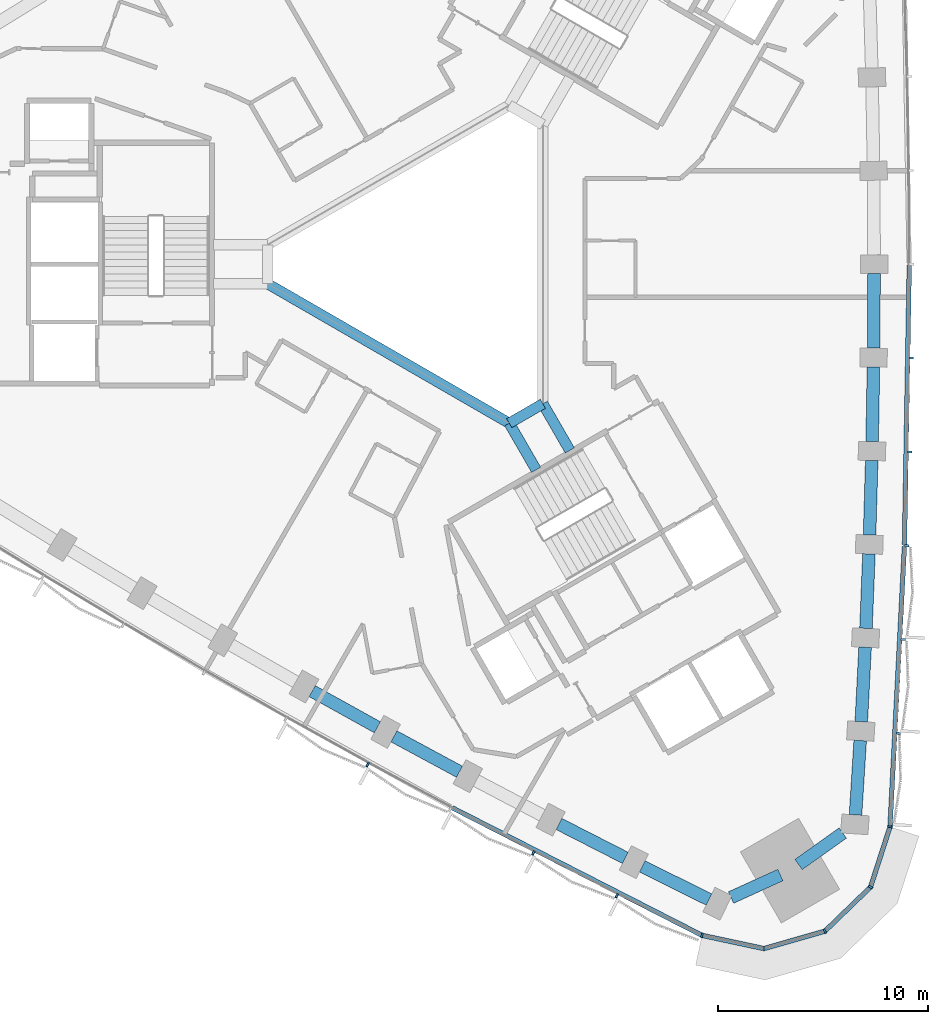
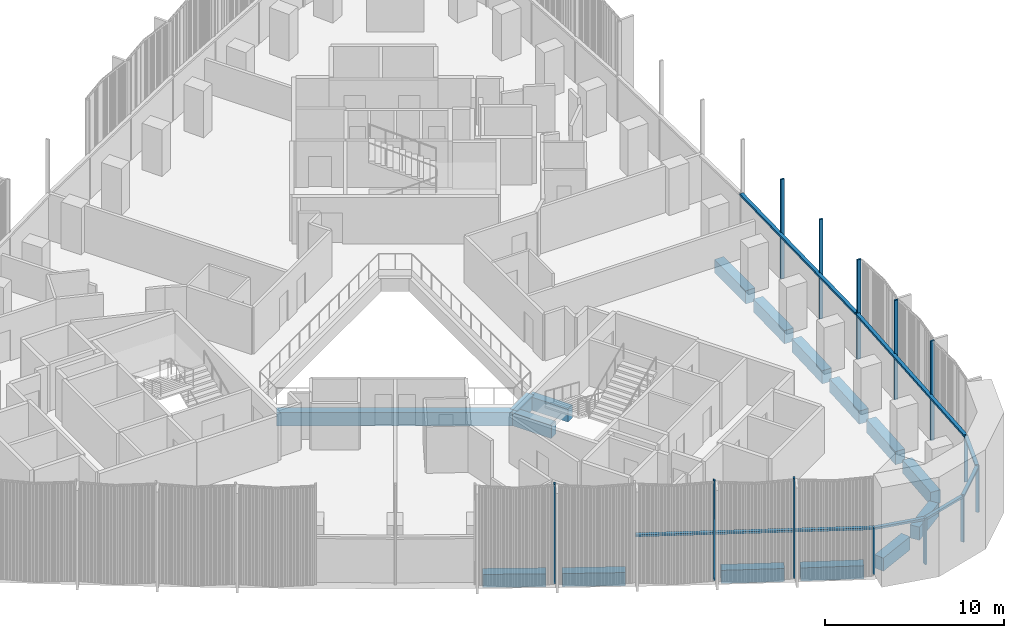
# One storey, part 3 of 15: 20 members, 16 beams, 2 elements without a shape of their own.
"""IFC4 building model written with IfcOpenShell, lengths in metres."""

from ifc_helpers import new_model, si_unit, direction, frame, origin, origin_2d, place, context, subcontext, project, spatial, rectangle, extrude, material, material_profile, profile_set, type_object, element, aggregate, save


model = new_model("IFC4")

# Units and contexts
model_context = context("Model", 3, precision=1e-05, world=origin(), true_north=direction((0.0, 1.0)))
body_context = subcontext(model_context, "Body", "Model", "MODEL_VIEW")
ifc_project = project(units=[si_unit("LENGTHUNIT", "METRE"), si_unit("AREAUNIT", "SQUARE_METRE"), si_unit("VOLUMEUNIT", "CUBIC_METRE"), si_unit("PLANEANGLEUNIT", "RADIAN"), si_unit("MASSUNIT", "GRAM", prefix="KILO")], contexts=[model_context])

# Site, building, storey
site_placement = place(None, origin())
site = spatial("IfcSite", under=ifc_project, at=site_placement, CompositionType="ELEMENT")
building_placement = place(site_placement, origin())
building = spatial("IfcBuilding", under=site, at=building_placement, Name="Tamra Quay Hotel Tower", CompositionType="ELEMENT")
storey_placement = place(building_placement, frame((0.0, 0.0, 111.800048828125)))
storey = spatial("IfcBuildingStorey", under=building, at=storey_placement, Name="L27", CompositionType="ELEMENT", Elevation=111.800048828125)

# Beams
ifc_material_1 = material(Name="Concrete M60", Category="concrete")
ifc_material_profile_1 = material_profile(ifc_material_1, rectangle(XDim=0.5, YDim=0.89990234375, at=origin_2d()), Name="ATRIUM EDGE BEAM RC 500x900")
ifc_profile_set_1 = profile_set([ifc_material_profile_1], Name="Concrete M60")
beam_type_1 = type_object("IfcBeamType", Name="ATRIUM EDGE BEAM RC 500x900", PredefinedType="BEAM", material=ifc_profile_set_1)
beam_1_placement = place(storey_placement, frame((4.89990234375, -6.639404296875, -0.875), z_axis=(-0.865989712182, -0.500061814573, 0.0), x_axis=(0.500061814573, -0.865989712182, 0.0)))
element("IfcBeam", 1, at=beam_1_placement, inside=storey, type_object=beam_type_1, Name="BM-AB1-L27", PredefinedType="BEAM", context=body_context, shape_type="SweptSolid", body=[
    extrude(rectangle(XDim=0.5, YDim=0.89990234375, at=origin_2d()), origin(), (0.0, 0.0, 1.0), 1.847412109375),
])
beam_2_placement = place(storey_placement, frame((3.300048828125, -7.563232421875, -0.875), z_axis=(-0.866029440693, 0.499993007805, 0.0), x_axis=(-0.499993007805, -0.866029440693, 0.0)))
element("IfcBeam", 2, at=beam_2_placement, inside=storey, type_object=beam_type_1, Name="BM-AB2-L27", PredefinedType="BEAM", context=body_context, shape_type="SweptSolid", body=[
    extrude(rectangle(XDim=0.5, YDim=0.89990234375, at=origin_2d()), origin(), (0.0, 0.0, 1.0), 13.279052734375),
])
ifc_material_profile_2 = material_profile(ifc_material_1, rectangle(XDim=0.5, YDim=0.89990234375, at=origin_2d()), Name="ATRIUM TIE BEAM RC 500x900")
ifc_profile_set_2 = profile_set([ifc_material_profile_2], Name="Concrete M60")
beam_type_2 = type_object("IfcBeamType", Name="ATRIUM TIE BEAM RC 500x900", PredefinedType="BEAM", material=ifc_profile_set_2)
for number, where, z_axis, x_axis, name in (
    (3, (4.89990234375, -6.639404296875, -0.875), (0.50003311468, -0.866006284171, 0.0), (0.866006284171, 0.50003311468, 0.0), "BM-TIE-1-L27"),
    (4, (3.300048828125, -7.563232421875, -0.875), (0.499961652204, -0.866047542763, 0.0), (0.866047542763, 0.499961652204, 0.0), "BM-TIE-2-L27"),
):
    element("IfcBeam", number, at=place(storey_placement, frame(where, z_axis=z_axis, x_axis=x_axis)), inside=storey, type_object=beam_type_2, Name=name, PredefinedType="BEAM", context=body_context, shape_type="SweptSolid", body=[
        extrude(rectangle(XDim=0.5, YDim=0.89990234375, at=origin_2d()), origin(), (0.0, 0.0, 1.0), 2.562255859375),
    ])

# Curtain wall, members
ifc_material_2 = material(Name="Aluminium 6063 anodised dark grey", Category="aluminium")
curtain_wall_type_1 = type_object("IfcCurtainWallType", Name="CW1 CURTAIN WALL", PredefinedType="NOTDEFINED", material=ifc_material_2)
curtain_wall_1_placement = place(storey_placement, origin())
curtain_wall_1 = element("IfcCurtainWall", 5, at=curtain_wall_1_placement, inside=storey, type_object=curtain_wall_type_1, Name="CW1 east face L27", PredefinedType="NOTDEFINED")
ifc_material_profile_3 = material_profile(ifc_material_2, rectangle(XDim=0.219970703125, YDim=0.10009765625, at=origin_2d()), Name="MULLION 100X220")
ifc_profile_set_3 = profile_set([ifc_material_profile_3], Name="Aluminium 6063 anodised dark grey")
member_type_1 = type_object("IfcMemberType", Name="MULLION CW1 Z2", PredefinedType="MULLION", material=ifc_profile_set_3)
member_1_placement = place(storey_placement, frame((21.41650390625, -26.762451171875, 0.0), z_axis=(0.0, 0.0, 1.0), x_axis=(0.982419074219, -0.18668894614, 0.0)))
member_1 = element("IfcMember", 6, at=member_1_placement, type_object=member_type_1, Name="CW1 mullion L27.E.1", PredefinedType="MULLION", context=body_context, shape_type="SweptSolid", body=[
    extrude(rectangle(XDim=0.219970703125, YDim=0.10009765625, at=origin_2d()), origin(), (0.0, 0.0, 1.0), 3.175048828125),
])
member_2_placement = place(storey_placement, frame((21.805908203125, -22.31396484375, 0.0), z_axis=(0.0, 0.0, 1.0), x_axis=(0.998374392499, -0.056996249012, 0.0)))
member_2 = element("IfcMember", 7, at=member_2_placement, type_object=member_type_1, Name="CW1 mullion L27.E.2", PredefinedType="MULLION", context=body_context, shape_type="SweptSolid", body=[
    extrude(rectangle(XDim=0.219970703125, YDim=0.10009765625, at=origin_2d()), origin(), (0.0, 0.0, 1.0), 6.800048828125),
])
member_3_placement = place(storey_placement, frame((22.03515625, -17.854736328125, 0.0), z_axis=(0.0, 0.0, 1.0), x_axis=(0.99895827695, -0.045632892877, 0.0)))
member_3 = element("IfcMember", 8, at=member_3_placement, type_object=member_type_1, Name="CW1 mullion L27.E.3", PredefinedType="MULLION", context=body_context, shape_type="SweptSolid", body=[
    extrude(rectangle(XDim=0.219970703125, YDim=0.10009765625, at=origin_2d()), origin(), (0.0, 0.0, 1.0), 6.800048828125),
])
member_4_placement = place(storey_placement, frame((22.21337890625, -13.39306640625, 0.0), z_axis=(0.0, 0.0, 1.0), x_axis=(0.999413449002, -0.034245553786, 0.0)))
member_4 = element("IfcMember", 9, at=member_4_placement, type_object=member_type_1, Name="CW1 mullion L27.E.4", PredefinedType="MULLION", context=body_context, shape_type="SweptSolid", body=[
    extrude(rectangle(XDim=0.219970703125, YDim=0.10009765625, at=origin_2d()), origin(), (0.0, 0.0, 1.0), 6.800048828125),
])
member_5_placement = place(storey_placement, frame((22.341064453125, -8.9296875, 0.0), z_axis=(0.0, 0.0, 1.0), x_axis=(0.99973912308, -0.022840441834, 0.0)))
member_5 = element("IfcMember", 10, at=member_5_placement, type_object=member_type_1, Name="CW1 mullion L27.E.5", PredefinedType="MULLION", context=body_context, shape_type="SweptSolid", body=[
    extrude(rectangle(XDim=0.219970703125, YDim=0.10009765625, at=origin_2d()), origin(), (0.0, 0.0, 1.0), 6.800048828125),
])
member_6_placement = place(storey_placement, frame((22.41748046875, -4.465087890625, 0.0), z_axis=(0.0, 0.0, 1.0), x_axis=(0.999934749978, -0.011423475244, 0.0)))
member_6 = element("IfcMember", 11, at=member_6_placement, type_object=member_type_1, Name="CW1 mullion L27.E.6", PredefinedType="MULLION", context=body_context, shape_type="SweptSolid", body=[
    extrude(rectangle(XDim=0.219970703125, YDim=0.10009765625, at=origin_2d()), origin(), (0.0, 0.0, 1.0), 6.800048828125),
])

curtain_wall_type_2 = type_object("IfcCurtainWallType", Name="CW3 CURTAIN WALL", PredefinedType="NOTDEFINED", material=ifc_material_2)
curtain_wall_2_placement = place(storey_placement, origin())
curtain_wall_2 = element("IfcCurtainWall", 12, at=curtain_wall_2_placement, inside=storey, type_object=curtain_wall_type_2, Name="CW3 south-west face L27", PredefinedType="NOTDEFINED")
ifc_material_profile_4 = material_profile(ifc_material_2, rectangle(XDim=0.219970703125, YDim=0.10009765625, at=origin_2d()), Name="MULLION 100X220")
ifc_profile_set_4 = profile_set([ifc_material_profile_4], Name="Aluminium 6063 anodised dark grey")
member_type_2 = type_object("IfcMemberType", Name="MULLION CW3 Z2", PredefinedType="MULLION", material=ifc_profile_set_4)
member_7_placement = place(storey_placement, frame((-3.43701171875, -23.812744140625, 0.0), z_axis=(0.0, 0.0, 1.0), x_axis=(-0.480089158678, -0.877219698662, 0.0)))
member_7 = element("IfcMember", 13, at=member_7_placement, type_object=member_type_2, Name="CW3 mullion L27.SW.9", PredefinedType="MULLION", context=body_context, shape_type="SweptSolid", body=[
    extrude(rectangle(XDim=0.219970703125, YDim=0.10009765625, at=origin_2d()), origin(), (0.0, 0.0, 1.0), 6.800048828125),
])
member_8_placement = place(storey_placement, frame((4.445068359375, -28.01025390625, 0.0), z_axis=(0.0, 0.0, 1.0), x_axis=(-0.459959893996, -0.887939691598, 0.0)))
member_8 = element("IfcMember", 14, at=member_8_placement, type_object=member_type_2, Name="CW3 mullion L27.SW.11", PredefinedType="MULLION", context=body_context, shape_type="SweptSolid", body=[
    extrude(rectangle(XDim=0.219970703125, YDim=0.10009765625, at=origin_2d()), origin(), (0.0, 0.0, 1.0), 6.800048828125),
])
member_9_placement = place(storey_placement, frame((8.421630859375, -30.04150390625, 0.0), z_axis=(0.0, 0.0, 1.0), x_axis=(-0.449826996685, -0.893115710899, 0.0)))
member_9 = element("IfcMember", 15, at=member_9_placement, type_object=member_type_2, Name="CW3 mullion L27.SW.12", PredefinedType="MULLION", context=body_context, shape_type="SweptSolid", body=[
    extrude(rectangle(XDim=0.219970703125, YDim=0.10009765625, at=origin_2d()), origin(), (0.0, 0.0, 1.0), 6.800048828125),
])
member_10_placement = place(storey_placement, frame((12.46875, -31.928466796875, 0.0), z_axis=(0.0, 0.0, 1.0), x_axis=(-0.329532167147, -0.944144348506, 0.0)))
member_10 = element("IfcMember", 16, at=member_10_placement, type_object=member_type_2, Name="CW3 mullion L27.SW.13", PredefinedType="MULLION", context=body_context, shape_type="SweptSolid", body=[
    extrude(rectangle(XDim=0.219970703125, YDim=0.10009765625, at=origin_2d()), origin(), (0.0, 0.0, 1.0), 3.175048828125),
])
member_11_placement = place(storey_placement, frame((15.418701171875, -32.559326171875, 0.0), z_axis=(0.0, 0.0, 1.0), x_axis=(0.03404070031, -0.999420447421, 0.0)))
member_11 = element("IfcMember", 17, at=member_11_placement, type_object=member_type_2, Name="CW3 mullion L27.SW.14", PredefinedType="MULLION", context=body_context, shape_type="SweptSolid", body=[
    extrude(rectangle(XDim=0.219970703125, YDim=0.10009765625, at=origin_2d()), origin(), (0.0, 0.0, 1.0), 3.175048828125),
])
member_12_placement = place(storey_placement, frame((18.31884765625, -31.729248046875, 0.0), z_axis=(0.0, 0.0, 1.0), x_axis=(0.5, -0.866025403784, 0.0)))
member_12 = element("IfcMember", 18, at=member_12_placement, type_object=member_type_2, Name="CW3 mullion L27.SW.15", PredefinedType="MULLION", context=body_context, shape_type="SweptSolid", body=[
    extrude(rectangle(XDim=0.219970703125, YDim=0.10009765625, at=origin_2d()), origin(), (0.0, 0.0, 1.0), 3.175048828125),
])
member_13_placement = place(storey_placement, frame((20.488037109375, -29.6328125, 0.0), z_axis=(0.0, 0.0, 1.0), x_axis=(0.848503146373, -0.529190334941, 0.0)))
member_13 = element("IfcMember", 19, at=member_13_placement, type_object=member_type_2, Name="CW3 mullion L27.SW.16", PredefinedType="MULLION", context=body_context, shape_type="SweptSolid", body=[
    extrude(rectangle(XDim=0.219970703125, YDim=0.10009765625, at=origin_2d()), origin(), (0.0, 0.0, 1.0), 3.175048828125),
])

# Beams
ifc_material_profile_5 = material_profile(ifc_material_1, rectangle(XDim=0.60009765625, YDim=0.89990234375, at=origin_2d()), Name="SPANDREL BEAM RC 600x900")
ifc_profile_set_5 = profile_set([ifc_material_profile_5], Name="Concrete M60")
beam_type_3 = type_object("IfcBeamType", Name="SPANDREL BEAM RC 600x900", PredefinedType="SPANDREL", material=ifc_profile_set_5)
beam_3_placement = place(storey_placement, frame((19.7744140625, -26.199462890625, -0.875), z_axis=(0.062669833409, 0.99803431403, 0.0), x_axis=(-0.99803431403, 0.062669833409, 0.0)))
element("IfcBeam", 20, at=beam_3_placement, inside=storey, type_object=beam_type_3, Name="BM-SP2-000-L27", PredefinedType="SPANDREL", context=body_context, shape_type="SweptSolid", body=[
    extrude(rectangle(XDim=0.60009765625, YDim=0.89990234375, at=origin_2d()), origin(), (0.0, 0.0, 1.0), 3.545166015625),
])
beam_4_placement = place(storey_placement, frame((20.048095703125, -21.7626953125, -0.875), z_axis=(0.051311627905, 0.998682690769, 0.0), x_axis=(-0.998682690769, 0.051311627905, 0.0)))
element("IfcBeam", 21, at=beam_4_placement, inside=storey, type_object=beam_type_3, Name="BM-SP2-001-L27", PredefinedType="SPANDREL", context=body_context, shape_type="SweptSolid", body=[
    extrude(rectangle(XDim=0.60009765625, YDim=0.89990234375, at=origin_2d()), origin(), (0.0, 0.0, 1.0), 3.544677734375),
])
for number, where, z_axis, x_axis, name in (
    (22, (20.27099609375, -17.323486328125, -0.875), (0.039946034354, 0.999201838639, 0.0), (-0.999201838639, 0.039946034354, 0.0), "BM-SP2-002-L27"),
    (23, (20.443359375, -12.882080078125, -0.875), (0.02858140136, 0.999591468299, 0.0), (-0.999591468299, 0.02858140136, 0.0), "BM-SP2-003-L27"),
):
    element("IfcBeam", number, at=place(storey_placement, frame(where, z_axis=z_axis, x_axis=x_axis)), inside=storey, type_object=beam_type_3, Name=name, PredefinedType="SPANDREL", context=body_context, shape_type="SweptSolid", body=[
        extrude(rectangle(XDim=0.60009765625, YDim=0.89990234375, at=origin_2d()), origin(), (0.0, 0.0, 1.0), 3.544921875),
    ])
beam_5_placement = place(storey_placement, frame((20.565185546875, -8.43896484375, -0.875), z_axis=(0.017149781635, 0.99985293168, 0.0), x_axis=(-0.99985293168, 0.017149781635, 0.0)))
element("IfcBeam", 24, at=beam_5_placement, inside=storey, type_object=beam_type_3, Name="BM-SP2-004-L27", PredefinedType="SPANDREL", context=body_context, shape_type="SweptSolid", body=[
    extrude(rectangle(XDim=0.60009765625, YDim=0.89990234375, at=origin_2d()), origin(), (0.0, 0.0, 1.0), 3.544677734375),
])
for number, where, z_axis, x_axis, name in (
    (25, (20.63623046875, -3.994873046875, -0.875), (0.005716160055, 0.999983662624, 0.0), (-0.999983662624, 0.005716160055, 0.0), "BM-SP2-005-L27"),
    (26, (-6.073974609375, -20.309814453125, -0.875), (0.874475461638, -0.48506975477, 0.0), (0.48506975477, 0.874475461638, 0.0), "BM-SP2-035-L27"),
    (27, (-2.184814453125, -22.46142578125, -0.875), (0.879950887438, -0.475064664753, 0.0), (0.475064664753, 0.879950887438, 0.0), "BM-SP2-036-L27"),
    (28, (5.666259765625, -26.630859375, -0.875), (0.890551251107, -0.45488291807, 0.0), (0.45488291807, 0.890551251107, 0.0), "BM-SP2-038-L27"),
):
    element("IfcBeam", number, at=place(storey_placement, frame(where, z_axis=z_axis, x_axis=x_axis)), inside=storey, type_object=beam_type_3, Name=name, PredefinedType="SPANDREL", context=body_context, shape_type="SweptSolid", body=[
        extrude(rectangle(XDim=0.60009765625, YDim=0.89990234375, at=origin_2d()), origin(), (0.0, 0.0, 1.0), 3.544921875),
    ])
beam_6_placement = place(storey_placement, frame((9.626953125, -28.648193359375, -0.875), z_axis=(0.895622275285, -0.444815399928, 0.0), x_axis=(0.444815399928, 0.895622275285, 0.0)))
element("IfcBeam", 29, at=beam_6_placement, inside=storey, type_object=beam_type_3, Name="BM-SP2-039-L27", PredefinedType="SPANDREL", context=body_context, shape_type="SweptSolid", body=[
    extrude(rectangle(XDim=0.60009765625, YDim=0.89990234375, at=origin_2d()), origin(), (0.0, 0.0, 1.0), 3.545166015625),
])
for number, where, z_axis, x_axis, name in (
    (30, (13.8505859375, -30.130615234375, -0.875), (0.909819048293, 0.415005179923, 0.0), (-0.415005179923, 0.909819048293, 0.0), "BM-SP2-040-L27"),
    (31, (17.063720703125, -28.560546875, -0.875), (0.814339289036, 0.580389112865, 0.0), (-0.580389112865, 0.814339289036, 0.0), "BM-SP2-041-L27"),
):
    element("IfcBeam", number, at=place(storey_placement, frame(where, z_axis=z_axis, x_axis=x_axis)), inside=storey, type_object=beam_type_3, Name=name, PredefinedType="SPANDREL", context=body_context, shape_type="SweptSolid", body=[
        extrude(rectangle(XDim=0.60009765625, YDim=0.89990234375, at=origin_2d()), origin(), (0.0, 0.0, 1.0), 2.5849609375),
    ])

# Member
ifc_material_profile_6 = material_profile(ifc_material_2, rectangle(XDim=0.219970703125, YDim=0.139892578125, at=origin_2d()), Name="TRANSOM 220X140")
ifc_profile_set_6 = profile_set([ifc_material_profile_6], Name="Aluminium 6063 anodised dark grey")
member_type_3 = type_object("IfcMemberType", Name="TRANSOM CW1 Z2", PredefinedType="USERDEFINED", material=ifc_profile_set_6)
member_14_placement = place(storey_placement, frame((21.41943359375, -26.712646484375, 3.10498046875), z_axis=(0.051322797132, 0.998682116839, 0.0), x_axis=(-0.998682116839, 0.051322797132, 0.0)))
member_14 = element("IfcMember", 32, at=member_14_placement, type_object=member_type_3, Name="CW1 transom L27.E.1", ObjectType="TRANSOM", PredefinedType="USERDEFINED", context=body_context, shape_type="SweptSolid", body=[
    extrude(rectangle(XDim=0.219970703125, YDim=0.139892578125, at=origin_2d()), origin(), (0.0, 0.0, 1.0), 13.291015625),
])

member_15_placement = place(storey_placement, frame((22.10498046875, -13.33935546875, 3.10498046875), z_axis=(0.017137820377, 0.999853136772, 0.0), x_axis=(-0.999853136772, 0.017137820377, 0.0)))
member_15 = element("IfcMember", 33, at=member_15_placement, type_object=member_type_3, Name="CW1 transom L27.E.4", ObjectType="TRANSOM", PredefinedType="USERDEFINED", context=body_context, shape_type="SweptSolid", body=[
    extrude(rectangle(XDim=0.219970703125, YDim=0.139892578125, at=origin_2d()), origin(), (0.0, 0.0, 1.0), 13.291259765625),
])

aggregate(curtain_wall_1, [member_1, member_14, member_2, member_3, member_4, member_15, member_5, member_6])

ifc_material_profile_7 = material_profile(ifc_material_2, rectangle(XDim=0.219970703125, YDim=0.139892578125, at=origin_2d()), Name="TRANSOM 220X140")
ifc_profile_set_7 = profile_set([ifc_material_profile_7], Name="Aluminium 6063 anodised dark grey")
member_type_4 = type_object("IfcMemberType", Name="TRANSOM CW3 Z2", PredefinedType="USERDEFINED", material=ifc_profile_set_7)
member_16_placement = place(storey_placement, frame((0.588134765625, -25.860107421875, 3.10498046875), z_axis=(0.89053639512, -0.454912001344, 0.0), x_axis=(0.454912001344, 0.89053639512, 0.0)))
member_16 = element("IfcMember", 34, at=member_16_placement, type_object=member_type_4, Name="CW3 transom L27.SW.10", ObjectType="TRANSOM", PredefinedType="USERDEFINED", context=body_context, shape_type="SweptSolid", body=[
    extrude(rectangle(XDim=0.219970703125, YDim=0.139892578125, at=origin_2d()), origin(), (0.0, 0.0, 1.0), 13.290771484375),
])

member_17_placement = place(storey_placement, frame((12.517822265625, -31.93896484375, 3.10498046875), z_axis=(0.97787585355, -0.209186077557, 0.0), x_axis=(0.209186077557, 0.97787585355, 0.0)))
member_17 = element("IfcMember", 35, at=member_17_placement, type_object=member_type_4, Name="CW3 transom L27.SW.13", ObjectType="TRANSOM", PredefinedType="USERDEFINED", context=body_context, shape_type="SweptSolid", body=[
    extrude(rectangle(XDim=0.219970703125, YDim=0.139892578125, at=origin_2d()), origin(), (0.0, 0.0, 1.0), 2.91650390625),
])

member_18_placement = place(storey_placement, frame((15.466796875, -32.545654296875, 3.10498046875), z_axis=(0.961378509885, 0.275229650893, 0.0), x_axis=(-0.275229650893, 0.961378509885, 0.0)))
member_18 = element("IfcMember", 36, at=member_18_placement, type_object=member_type_4, Name="CW3 transom L27.SW.14", ObjectType="TRANSOM", PredefinedType="USERDEFINED", context=body_context, shape_type="SweptSolid", body=[
    extrude(rectangle(XDim=0.219970703125, YDim=0.139892578125, at=origin_2d()), origin(), (0.0, 0.0, 1.0), 2.91650390625),
])

member_19_placement = place(storey_placement, frame((18.354736328125, -31.6943359375, 3.10498046875), z_axis=(0.719058089649, 0.694949972092, 0.0), x_axis=(-0.694949972092, 0.719058089649, 0.0)))
member_19 = element("IfcMember", 37, at=member_19_placement, type_object=member_type_4, Name="CW3 transom L27.SW.15", ObjectType="TRANSOM", PredefinedType="USERDEFINED", context=body_context, shape_type="SweptSolid", body=[
    extrude(rectangle(XDim=0.219970703125, YDim=0.139892578125, at=origin_2d()), origin(), (0.0, 0.0, 1.0), 2.91650390625),
])

member_20_placement = place(storey_placement, frame((20.50341796875, -29.585205078125, 3.10498046875), z_axis=(0.307777941734, 0.95145821694, 0.0), x_axis=(-0.95145821694, 0.307777941734, 0.0)))
member_20 = element("IfcMember", 38, at=member_20_placement, type_object=member_type_4, Name="CW3 transom L27.SW.16", ObjectType="TRANSOM", PredefinedType="USERDEFINED", context=body_context, shape_type="SweptSolid", body=[
    extrude(rectangle(XDim=0.219970703125, YDim=0.139892578125, at=origin_2d()), origin(), (0.0, 0.0, 1.0), 2.916748046875),
])

aggregate(curtain_wall_2, [member_7, member_16, member_8, member_9, member_10, member_17, member_11, member_18, member_12, member_19, member_13, member_20])

save(model, "model.ifc")
